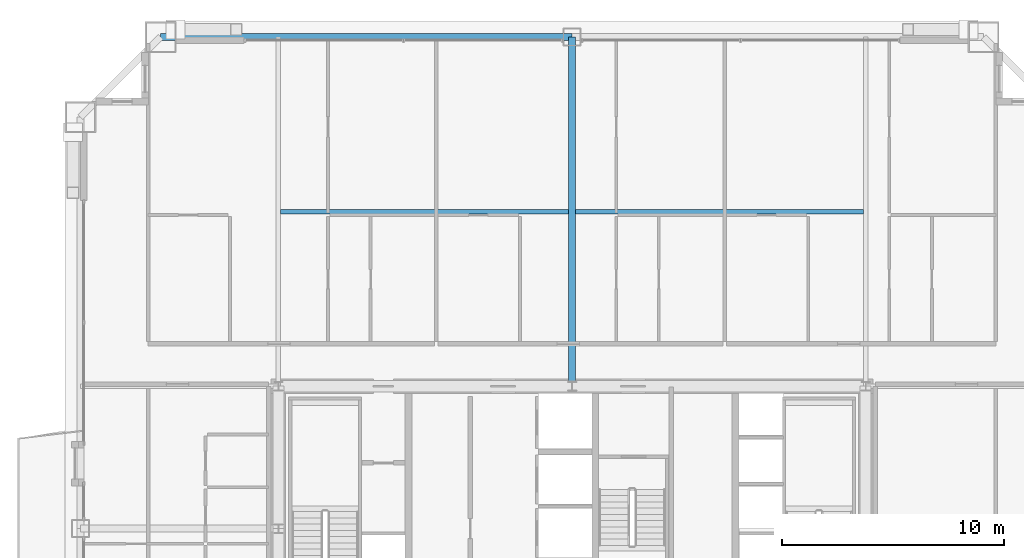
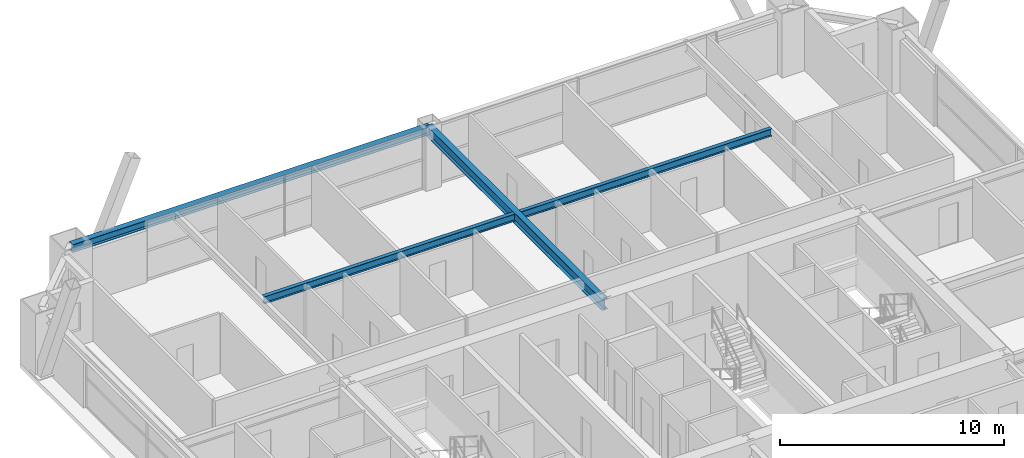
# One storey, part 28 of 42: 4 beams.
"""IFC4 building model written with IfcOpenShell, lengths in metres."""

from ifc_helpers import new_model, si_unit, direction, frame, origin, origin_2d, place, context, subcontext, project, spatial, i_section, extrude, source, transform, mapped, material, material_profile, profile_set, type_object, element, save


model = new_model("IFC4")

# Units and contexts
model_context = context("Model", 3, precision=1e-05, world=origin(), true_north=direction((0.0, 1.0)))
body_context = subcontext(model_context, "Body", "Model", "MODEL_VIEW")
ifc_project = project(units=[si_unit("LENGTHUNIT", "METRE"), si_unit("AREAUNIT", "SQUARE_METRE"), si_unit("VOLUMEUNIT", "CUBIC_METRE"), si_unit("PLANEANGLEUNIT", "RADIAN"), si_unit("MASSUNIT", "GRAM", prefix="KILO"), si_unit("THERMODYNAMICTEMPERATUREUNIT", "KELVIN"), si_unit("POWERUNIT", "WATT")], contexts=[model_context])

# Site, building, storey
site_placement = place(None, origin())
site = spatial("IfcSite", under=ifc_project, at=site_placement, CompositionType="ELEMENT")
building_placement = place(site_placement, origin())
building = spatial("IfcBuilding", under=site, at=building_placement, Name="Yuzanri Waterfront Tower", CompositionType="ELEMENT")
storey_placement = place(building_placement, frame((0.0, 0.0, 205.5)))
storey = spatial("IfcBuildingStorey", under=building, at=storey_placement, Name="L54", CompositionType="ELEMENT", Elevation=205.5)

# Beams
ifc_material_1 = material(Name="Steel Q355B", Category="steel")
ifc_material_profile_1 = material_profile(ifc_material_1, i_section(OverallWidth=0.199951171875, OverallDepth=0.39990234375, WebThickness=0.008056640625, FlangeThickness=0.012939453125, at=origin_2d()), Name="HN 400x200x8x13")
ifc_profile_set_1 = profile_set([ifc_material_profile_1], Name="Steel Q355B")
beam_type_1 = type_object("IfcBeamType", Name="Floor Joist Q355B HN 400x200", PredefinedType="JOIST", material=ifc_profile_set_1)
shared_shape_1 = source(origin(), body_context, "Body", "SweptSolid", [
    extrude(i_section(OverallWidth=0.199951171875, OverallDepth=0.39990234375, WebThickness=0.008056640625, FlangeThickness=0.012939453125, at=origin_2d()), origin(), (0.0, 0.0, 1.0), 12.9501953125),
])
for number, where, z_axis, x_axis, name in (
    (1, (23.89990234375, 40.050048828125, 3.080078125), (1.0, 0.0, 0.0), (0.0, 1.0, 0.0), "L54 North Bay Joist W"),
    (2, (37.14990234375, 40.050048828125, 3.080078125), (1.0, 0.0, 0.0), (0.0, 1.0, 0.0), "L54 North Bay Joist E"),
):
    element("IfcBeam", number, at=place(storey_placement, frame(where, z_axis=z_axis, x_axis=x_axis)), inside=storey, type_object=beam_type_1, Name=name, PredefinedType="JOIST", context=body_context, shape_type="MappedRepresentation", body=[
        mapped(shared_shape_1, transform((0.0, 0.0, 0.0), scale=1.0)),
    ])
ifc_material_2 = material(Name="Steel Q355B", Category="steel")
ifc_material_profile_2 = material_profile(ifc_material_2, i_section(OverallWidth=0.300048828125, OverallDepth=0.43994140625, WebThickness=0.010986328125, FlangeThickness=0.01806640625, at=origin_2d()), Name="HM 440x300x11x18")
ifc_profile_set_2 = profile_set([ifc_material_profile_2], Name="Steel Q355B")
beam_type_2 = type_object("IfcBeamType", Name="Perimeter Spandrel Q355B HM 440x300", PredefinedType="SPANDREL", material=ifc_profile_set_2)
shared_shape_2 = source(origin(), body_context, "Body", "SweptSolid", [
    extrude(i_section(OverallWidth=0.300048828125, OverallDepth=0.43994140625, WebThickness=0.010986328125, FlangeThickness=0.01806640625, at=origin_2d()), origin(), (0.0, 0.0, 1.0), 18.5),
])
beam_1_placement = place(storey_placement, frame((37.0, 47.89990234375, 3.06005859375), z_axis=(-1.0, 0.0, 0.0), x_axis=(0.0, -1.0, 0.0)))
element("IfcBeam", 3, at=beam_1_placement, inside=storey, type_object=beam_type_2, Name="L54 Perimeter Spandrel N2-N1", PredefinedType="SPANDREL", context=body_context, shape_type="MappedRepresentation", body=[
    mapped(shared_shape_2, transform((0.0, 0.0, 0.0), scale=1.0)),
])
ifc_material_3 = material(Name="Steel Q355B", Category="steel")
ifc_material_profile_3 = material_profile(ifc_material_3, i_section(OverallWidth=0.300048828125, OverallDepth=0.587890625, WebThickness=0.011962890625, FlangeThickness=0.02001953125, at=origin_2d()), Name="HM 588x300x12x20")
ifc_profile_set_3 = profile_set([ifc_material_profile_3], Name="Steel Q355B")
beam_type_3 = type_object("IfcBeamType", Name="Primary Floor Girder Q355B HM 588x300", PredefinedType="BEAM", material=ifc_profile_set_3)
shared_shape_3 = source(origin(), body_context, "Body", "SweptSolid", [
    extrude(i_section(OverallWidth=0.300048828125, OverallDepth=0.587890625, WebThickness=0.011962890625, FlangeThickness=0.02001953125, at=origin_2d()), origin(), (0.0, 0.0, 1.0), 15.699951171875),
])
beam_2_placement = place(storey_placement, frame((37.0, 32.199951171875, 2.986083984375), z_axis=(0.0, 1.0, 0.0), x_axis=(-1.0, 0.0, 0.0)))
element("IfcBeam", 4, at=beam_2_placement, inside=storey, type_object=beam_type_3, Name="L54 North Grid Girder", PredefinedType="BEAM", context=body_context, shape_type="MappedRepresentation", body=[
    mapped(shared_shape_3, transform((0.0, 0.0, 0.0), scale=1.0)),
])

save(model, "model.ifc")
